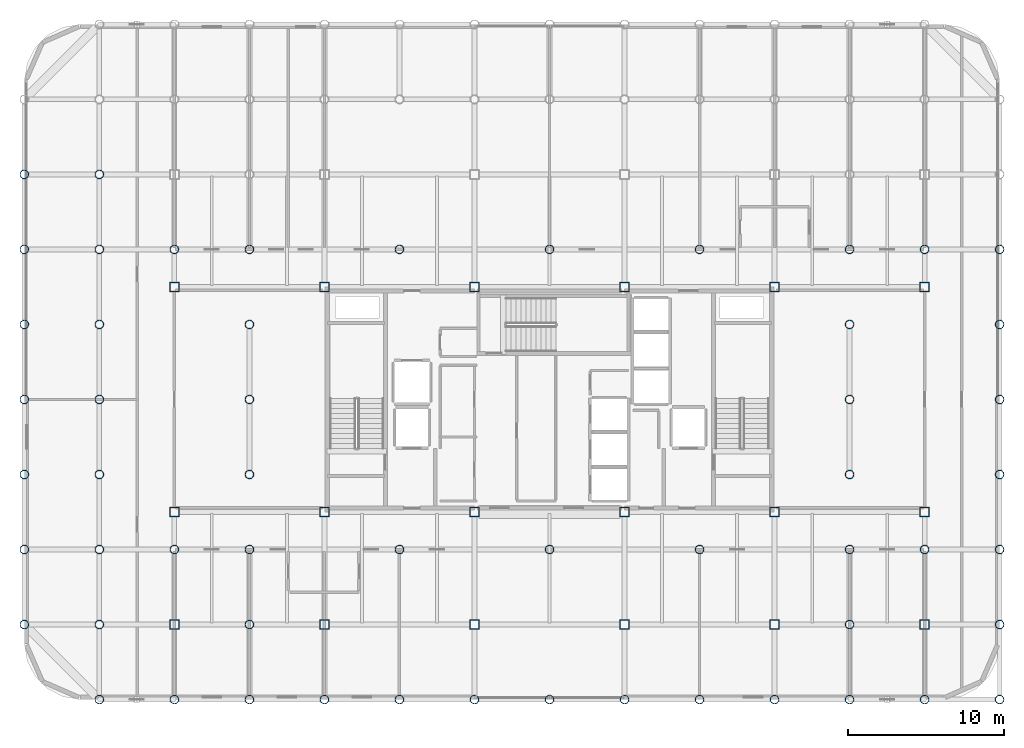
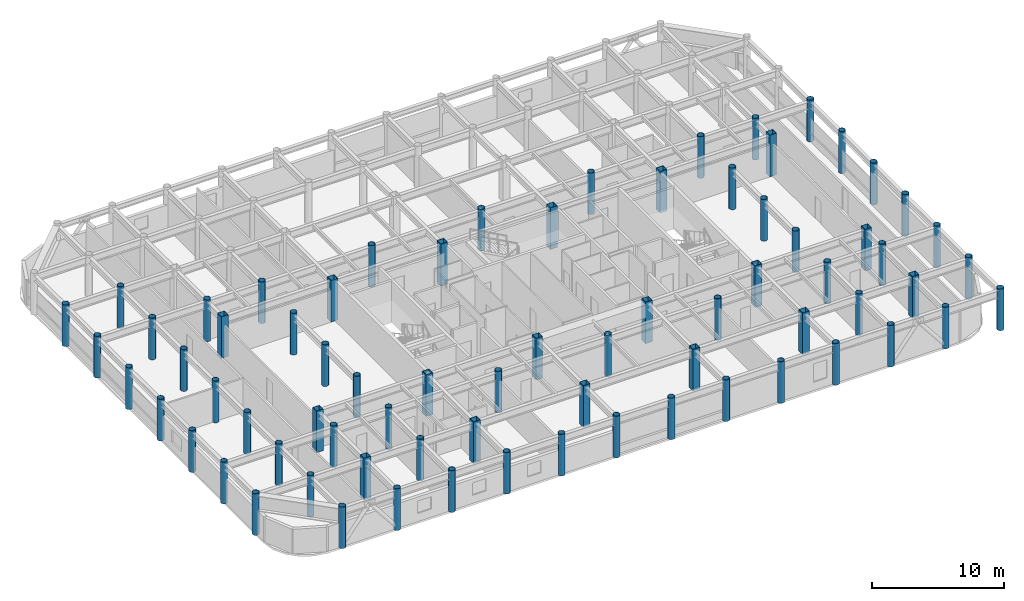
# One storey, part 1 of 22: 73 columns.
"""IFC4 building model written with IfcOpenShell, lengths in metres."""

from ifc_helpers import new_model, si_unit, direction, frame, origin, origin_2d, place, context, subcontext, project, spatial, hollow_rectangle, hollow_circle, extrude, material, material_profile, profile_set, type_object, element, save


model = new_model("IFC4")

# Units and contexts
model_context = context("Model", 3, precision=1e-05, world=origin(), true_north=direction((0.0, 1.0)))
body_context = subcontext(model_context, "Body", "Model", "MODEL_VIEW")
ifc_project = project(units=[si_unit("LENGTHUNIT", "METRE"), si_unit("AREAUNIT", "SQUARE_METRE"), si_unit("VOLUMEUNIT", "CUBIC_METRE"), si_unit("PLANEANGLEUNIT", "RADIAN"), si_unit("MASSUNIT", "GRAM", prefix="KILO")], contexts=[model_context])

# Site, building, storey
site_placement = place(None, origin())
site = spatial("IfcSite", under=ifc_project, at=site_placement, CompositionType="ELEMENT")
building_placement = place(site_placement, origin())
building = spatial("IfcBuilding", under=site, at=building_placement, Name="Kallvorn Hotel Tower", CompositionType="ELEMENT")
storey_placement = place(building_placement, frame((0.0, 0.0, 264.64990234375)))
storey = spatial("IfcBuildingStorey", under=building, at=storey_placement, Name="L66", CompositionType="ELEMENT", Elevation=264.64990234375)

# Columns
ifc_material_1 = material(Name="Structural steel S355J2H", Category="steel")
ifc_material_profile_1 = material_profile(ifc_material_1, hollow_circle(Radius=0.279541015625, WallThickness=0.02490234375, at=origin_2d()), Name="CHS 559x25")
ifc_profile_set_1 = profile_set([ifc_material_profile_1], Name="Structural steel S355J2H")
column_type_1 = type_object("IfcColumnType", Name="COL_CHS_559", PredefinedType="COLUMN", material=ifc_profile_set_1)
for number, where, z_axis, x_axis, name in (
    (1, (-33.60009765625, -14.39990234375, 0.0), (0.0, 0.0, 1.0), (1.0, 0.0, 0.0), "L66 Exoskeleton Column EC01"),
    (2, (-33.60009765625, -9.60009765625, 0.0), (0.0, 0.0, 1.0), (1.0, 0.0, 0.0), "L66 Exoskeleton Column EC02"),
    (3, (-33.60009765625, -4.800048828125, 0.0), (0.0, 0.0, 1.0), (1.0, 0.0, 0.0), "L66 Exoskeleton Column EC03"),
    (4, (-33.60009765625, 0.0, 0.0), (0.0, 0.0, 1.0), (1.0, 0.0, 0.0), "L66 Exoskeleton Column EC04"),
    (5, (-33.60009765625, 4.800048828125, 0.0), (0.0, 0.0, 1.0), (1.0, 0.0, 0.0), "L66 Exoskeleton Column EC05"),
    (6, (-33.60009765625, 9.60009765625, 0.0), (0.0, 0.0, 1.0), (1.0, 0.0, 0.0), "L66 Exoskeleton Column EC06"),
    (7, (-33.60009765625, 14.39990234375, 0.0), (0.0, 0.0, 1.0), (1.0, 0.0, 0.0), "L66 Exoskeleton Column EC07"),
    (8, (-28.800048828125, -19.199951171875, 0.0), (0.0, 0.0, 1.0), (1.0, 0.0, 0.0), "L66 Exoskeleton Column EC09"),
    (9, (-28.800048828125, -14.39990234375, 0.0), (0.0, 0.0, 1.0), (1.0, 0.0, 0.0), "L66 Exoskeleton Column EC10"),
    (10, (-28.800048828125, -9.60009765625, 0.0), (0.0, 0.0, 1.0), (1.0, 0.0, 0.0), "L66 Exoskeleton Column EC11"),
    (11, (-28.800048828125, -4.800048828125, 0.0), (0.0, 0.0, 1.0), (1.0, 0.0, 0.0), "L66 Exoskeleton Column EC12"),
    (12, (-28.800048828125, 0.0, 0.0), (0.0, 0.0, 1.0), (1.0, 0.0, 0.0), "L66 Exoskeleton Column EC13"),
    (13, (-28.800048828125, 4.800048828125, 0.0), (0.0, 0.0, 1.0), (1.0, 0.0, 0.0), "L66 Exoskeleton Column EC14"),
    (14, (-28.800048828125, 9.60009765625, 0.0), (0.0, 0.0, 1.0), (1.0, 0.0, 0.0), "L66 Exoskeleton Column EC15"),
    (15, (-28.800048828125, 14.39990234375, 0.0), (0.0, 0.0, 1.0), (1.0, 0.0, 0.0), "L66 Exoskeleton Column EC16"),
    (16, (-24.0, -19.199951171875, 0.0), (0.0, 0.0, 1.0), (1.0, 0.0, 0.0), "L66 Exoskeleton Column EC19"),
    (17, (-24.0, -9.60009765625, 0.0), (0.0, 0.0, 1.0), (1.0, 0.0, 0.0), "L66 Exoskeleton Column EC20"),
    (18, (-24.0, 9.60009765625, 0.0), (0.0, 0.0, 1.0), (1.0, 0.0, 0.0), "L66 Exoskeleton Column EC21"),
    (19, (-19.199951171875, -19.199951171875, 0.0), (0.0, 0.0, 1.0), (1.0, 0.0, 0.0), "L66 Exoskeleton Column EC24"),
    (20, (-19.199951171875, -14.39990234375, 0.0), (0.0, 0.0, 1.0), (1.0, 0.0, 0.0), "L66 Exoskeleton Column EC25"),
    (21, (-19.199951171875, -9.60009765625, 0.0), (0.0, 0.0, 1.0), (1.0, 0.0, 0.0), "L66 Exoskeleton Column EC26"),
    (22, (-19.199951171875, -4.800048828125, 0.0), (0.0, 0.0, 1.0), (1.0, 0.0, 0.0), "L66 Exoskeleton Column EC27"),
    (23, (-19.199951171875, 0.0, 0.0), (0.0, 0.0, 1.0), (1.0, 0.0, 0.0), "L66 Exoskeleton Column EC28"),
    (24, (-19.199951171875, 4.800048828125, 0.0), (0.0, 0.0, 1.0), (1.0, 0.0, 0.0), "L66 Exoskeleton Column EC29"),
    (25, (-19.199951171875, 9.60009765625, 0.0), (0.0, 0.0, 1.0), (1.0, 0.0, 0.0), "L66 Exoskeleton Column EC30"),
    (26, (-14.39990234375, -19.199951171875, 0.0), (0.0, 0.0, 1.0), (1.0, 0.0, 0.0), "L66 Exoskeleton Column EC34"),
    (27, (-9.60009765625, -19.199951171875, 0.0), (0.0, 0.0, 1.0), (1.0, 0.0, 0.0), "L66 Exoskeleton Column EC37"),
    (28, (-9.60009765625, -9.60009765625, 0.0), (0.0, 0.0, 1.0), (1.0, 0.0, 0.0), "L66 Exoskeleton Column EC38"),
    (29, (-9.60009765625, 9.60009765625, 0.0), (0.0, 0.0, 1.0), (1.0, 0.0, 0.0), "L66 Exoskeleton Column EC39"),
    (30, (-4.800048828125, -19.199951171875, 0.0), (0.0, 0.0, 1.0), (1.0, 0.0, 0.0), "L66 Exoskeleton Column EC42"),
    (31, (0.0, -19.199951171875, 0.0), (0.0, 0.0, 1.0), (1.0, 0.0, 0.0), "L66 Exoskeleton Column EC45"),
    (32, (0.0, -9.60009765625, 0.0), (0.0, 0.0, 1.0), (1.0, 0.0, 0.0), "L66 Exoskeleton Column EC46"),
    (33, (0.0, 9.60009765625, 0.0), (0.0, 0.0, 1.0), (1.0, 0.0, 0.0), "L66 Exoskeleton Column EC47"),
    (34, (4.800048828125, -19.199951171875, 0.0), (0.0, 0.0, 1.0), (1.0, 0.0, 0.0), "L66 Exoskeleton Column EC50"),
    (35, (9.60009765625, -19.199951171875, 0.0), (0.0, 0.0, 1.0), (1.0, 0.0, 0.0), "L66 Exoskeleton Column EC53"),
    (36, (9.60009765625, -9.60009765625, 0.0), (0.0, 0.0, 1.0), (1.0, 0.0, 0.0), "L66 Exoskeleton Column EC54"),
    (37, (9.60009765625, 9.60009765625, 0.0), (0.0, 0.0, 1.0), (1.0, 0.0, 0.0), "L66 Exoskeleton Column EC55"),
    (38, (14.39990234375, -19.199951171875, 0.0), (0.0, 0.0, 1.0), (1.0, 0.0, 0.0), "L66 Exoskeleton Column EC58"),
    (39, (19.199951171875, -19.199951171875, 0.0), (0.0, 0.0, 1.0), (1.0, 0.0, 0.0), "L66 Exoskeleton Column EC61"),
    (40, (19.199951171875, -14.39990234375, 0.0), (0.0, 0.0, 1.0), (1.0, 0.0, 0.0), "L66 Exoskeleton Column EC62"),
    (41, (19.199951171875, -9.60009765625, 0.0), (0.0, 0.0, 1.0), (1.0, 0.0, 0.0), "L66 Exoskeleton Column EC63"),
    (42, (19.199951171875, -4.800048828125, 0.0), (0.0, 0.0, 1.0), (1.0, 0.0, 0.0), "L66 Exoskeleton Column EC64"),
    (43, (19.199951171875, 0.0, 0.0), (0.0, 0.0, 1.0), (1.0, 0.0, 0.0), "L66 Exoskeleton Column EC65"),
    (44, (19.199951171875, 4.800048828125, 0.0), (0.0, 0.0, 1.0), (1.0, 0.0, 0.0), "L66 Exoskeleton Column EC66"),
    (45, (19.199951171875, 9.60009765625, 0.0), (0.0, 0.0, 1.0), (1.0, 0.0, 0.0), "L66 Exoskeleton Column EC67"),
    (46, (24.0, -19.199951171875, 0.0), (0.0, 0.0, 1.0), (1.0, 0.0, 0.0), "L66 Exoskeleton Column EC71"),
    (47, (24.0, -9.60009765625, 0.0), (0.0, 0.0, 1.0), (1.0, 0.0, 0.0), "L66 Exoskeleton Column EC72"),
    (48, (24.0, 9.60009765625, 0.0), (0.0, 0.0, 1.0), (1.0, 0.0, 0.0), "L66 Exoskeleton Column EC73"),
    (49, (28.800048828125, -19.199951171875, 0.0), (0.0, 0.0, 1.0), (1.0, 0.0, 0.0), "L66 Exoskeleton Column EC76"),
    (50, (28.800048828125, -14.39990234375, 0.0), (0.0, 0.0, 1.0), (1.0, 0.0, 0.0), "L66 Exoskeleton Column EC77"),
    (51, (28.800048828125, -9.60009765625, 0.0), (0.0, 0.0, 1.0), (1.0, 0.0, 0.0), "L66 Exoskeleton Column EC78"),
    (52, (28.800048828125, -4.800048828125, 0.0), (0.0, 0.0, 1.0), (1.0, 0.0, 0.0), "L66 Exoskeleton Column EC79"),
    (53, (28.800048828125, 0.0, 0.0), (0.0, 0.0, 1.0), (1.0, 0.0, 0.0), "L66 Exoskeleton Column EC80"),
    (54, (28.800048828125, 4.800048828125, 0.0), (0.0, 0.0, 1.0), (1.0, 0.0, 0.0), "L66 Exoskeleton Column EC81"),
    (55, (28.800048828125, 9.60009765625, 0.0), (0.0, 0.0, 1.0), (1.0, 0.0, 0.0), "L66 Exoskeleton Column EC82"),
):
    element("IfcColumn", number, at=place(storey_placement, frame(where, z_axis=z_axis, x_axis=x_axis)), inside=storey, type_object=column_type_1, Name=name, PredefinedType="COLUMN", context=body_context, shape_type="SweptSolid", body=[
        extrude(hollow_circle(Radius=0.279541015625, WallThickness=0.02490234375, at=origin_2d()), origin(), (0.0, 0.0, 1.0), 3.85009765625),
    ])
ifc_material_2 = material(Name="Structural steel S355J2H", Category="steel")
ifc_material_profile_2 = material_profile(ifc_material_2, hollow_rectangle(XDim=0.60009765625, YDim=0.60009765625, WallThickness=0.028076171875, at=origin_2d()), Name="RHS 600x600x28")
ifc_profile_set_2 = profile_set([ifc_material_profile_2], Name="Structural steel S355J2H")
column_type_2 = type_object("IfcColumnType", Name="COL_RHS_600", PredefinedType="COLUMN", material=ifc_profile_set_2)
for number, where, z_axis, x_axis, name in (
    (56, (-24.0, -14.39990234375, 0.0), (0.0, 0.0, 1.0), (1.0, 0.0, 0.0), "L66 Inner Column IC01"),
    (57, (-24.0, -7.199951171875, 0.0), (0.0, 0.0, 1.0), (1.0, 0.0, 0.0), "L66 Inner Column IC02"),
    (58, (-24.0, 7.199951171875, 0.0), (0.0, 0.0, 1.0), (1.0, 0.0, 0.0), "L66 Inner Column IC03"),
    (59, (-14.39990234375, -14.39990234375, 0.0), (0.0, 0.0, 1.0), (1.0, 0.0, 0.0), "L66 Inner Column IC05"),
    (60, (-14.39990234375, -7.199951171875, 0.0), (0.0, 0.0, 1.0), (1.0, 0.0, 0.0), "L66 Inner Column IC06"),
    (61, (-14.39990234375, 7.199951171875, 0.0), (0.0, 0.0, 1.0), (1.0, 0.0, 0.0), "L66 Inner Column IC07"),
    (62, (-4.800048828125, -14.39990234375, 0.0), (0.0, 0.0, 1.0), (1.0, 0.0, 0.0), "L66 Inner Column IC09"),
    (63, (-4.800048828125, -7.199951171875, 0.0), (0.0, 0.0, 1.0), (1.0, 0.0, 0.0), "L66 Inner Column IC10"),
    (64, (-4.800048828125, 7.199951171875, 0.0), (0.0, 0.0, 1.0), (1.0, 0.0, 0.0), "L66 Inner Column IC11"),
    (65, (4.800048828125, -14.39990234375, 0.0), (0.0, 0.0, 1.0), (1.0, 0.0, 0.0), "L66 Inner Column IC13"),
    (66, (4.800048828125, -7.199951171875, 0.0), (0.0, 0.0, 1.0), (1.0, 0.0, 0.0), "L66 Inner Column IC14"),
    (67, (4.800048828125, 7.199951171875, 0.0), (0.0, 0.0, 1.0), (1.0, 0.0, 0.0), "L66 Inner Column IC15"),
    (68, (14.39990234375, -14.39990234375, 0.0), (0.0, 0.0, 1.0), (1.0, 0.0, 0.0), "L66 Inner Column IC17"),
    (69, (14.39990234375, -7.199951171875, 0.0), (0.0, 0.0, 1.0), (1.0, 0.0, 0.0), "L66 Inner Column IC18"),
    (70, (14.39990234375, 7.199951171875, 0.0), (0.0, 0.0, 1.0), (1.0, 0.0, 0.0), "L66 Inner Column IC19"),
    (71, (24.0, -14.39990234375, 0.0), (0.0, 0.0, 1.0), (1.0, 0.0, 0.0), "L66 Inner Column IC21"),
    (72, (24.0, -7.199951171875, 0.0), (0.0, 0.0, 1.0), (1.0, 0.0, 0.0), "L66 Inner Column IC22"),
    (73, (24.0, 7.199951171875, 0.0), (0.0, 0.0, 1.0), (1.0, 0.0, 0.0), "L66 Inner Column IC23"),
):
    element("IfcColumn", number, at=place(storey_placement, frame(where, z_axis=z_axis, x_axis=x_axis)), inside=storey, type_object=column_type_2, Name=name, PredefinedType="COLUMN", context=body_context, shape_type="SweptSolid", body=[
        extrude(hollow_rectangle(XDim=0.60009765625, YDim=0.60009765625, WallThickness=0.028076171875, at=origin_2d()), origin(), (0.0, 0.0, 1.0), 3.85009765625),
    ])

save(model, "model.ifc")
